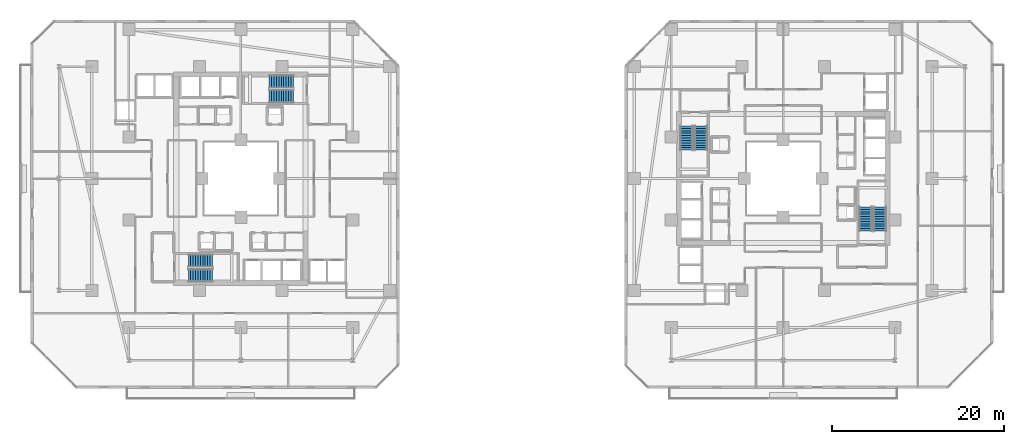
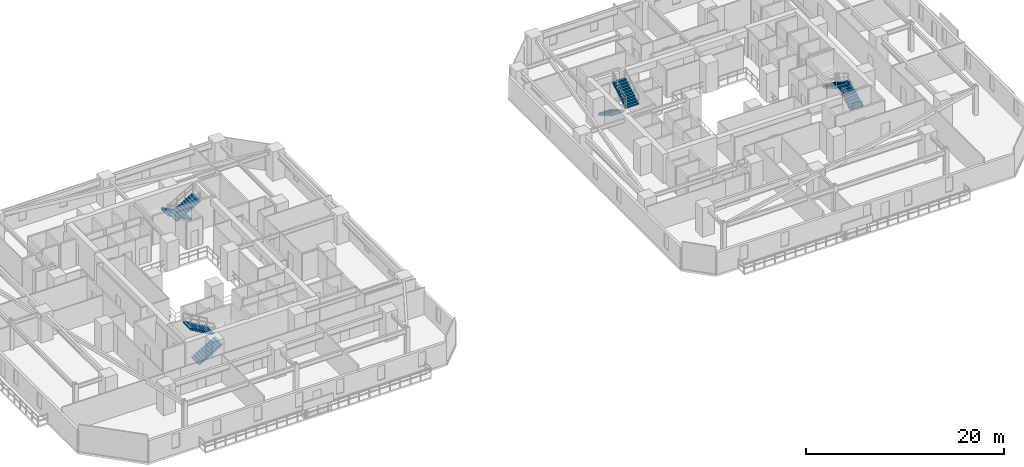
# One storey, part 26 of 33: 8 stair flights, 4 elements without a shape of their own.
"""IFC4 building model written with IfcOpenShell, lengths in metres."""

from ifc_helpers import new_model, si_unit, direction, frame, origin, place, context, subcontext, project, spatial, polyline, outline, extrude, material, type_object, element, aggregate, save


model = new_model("IFC4")

# Units and contexts
model_context = context("Model", 3, precision=1e-05, world=origin(), true_north=direction((0.0, 1.0)))
body_context = subcontext(model_context, "Body", "Model", "MODEL_VIEW")
ifc_project = project(units=[si_unit("LENGTHUNIT", "METRE"), si_unit("AREAUNIT", "SQUARE_METRE"), si_unit("VOLUMEUNIT", "CUBIC_METRE"), si_unit("PLANEANGLEUNIT", "RADIAN"), si_unit("MASSUNIT", "GRAM", prefix="KILO")], contexts=[model_context])

# Site, building, storey
site_placement = place(None, origin())
site = spatial("IfcSite", under=ifc_project, at=site_placement, CompositionType="ELEMENT")
building_placement = place(site_placement, origin())
building = spatial("IfcBuilding", under=site, at=building_placement, Name="Thornwick Lancets Civic Towers", CompositionType="ELEMENT")
storey_placement = place(building_placement, frame((0.0, 0.0, 38.699951171875)))
storey = spatial("IfcBuildingStorey", under=building, at=storey_placement, Name="L09", CompositionType="ELEMENT", Elevation=38.699951171875)

# Stair, stair flights
ifc_material = material(Name="Concrete C40/50", Category="concrete")
stair_type = type_object("IfcStairType", Name="STAIR_DL_3600", PredefinedType="HALF_TURN_STAIR", material=ifc_material)
stair_1_placement = place(storey_placement, origin())
stair_1 = element("IfcStair", 1, at=stair_1_placement, inside=storey, type_object=stair_type, Name="L09 Tower A South Exit Stair ST-A1", PredefinedType="HALF_TURN_STAIR")
stair_flight_type = type_object("IfcStairFlightType", Name="FLIGHT_3600", PredefinedType="STRAIGHT", material=ifc_material)
stair_flight_1_placement = place(storey_placement, frame((19.39990234375, 15.75, 0.0), z_axis=(0.0, 0.0, 1.0), x_axis=(1.0, 0.0, 0.0)))
stair_flight_1 = element("IfcStairFlight", 2, at=stair_flight_1_placement, type_object=stair_flight_type, Name="ST-A1 flight 1", NumberOfRisers=11, NumberOfTreads=10, PredefinedType="STRAIGHT", RiserHeight=0.163636364, TreadLength=0.28, context=body_context, shape_type="SweptSolid", body=[
    extrude(outline(polyline([(0.0, 0.0), (0.0, 0.16357421875), (0.280029296875, 0.16357421875), (0.280029296875, 0.327392578125), (0.56005859375, 0.327392578125), (0.56005859375, 0.490966796875), (0.840087890625, 0.490966796875), (0.840087890625, 0.654541015625), (1.1201171875, 0.654541015625), (1.1201171875, 0.818115234375), (1.39990234375, 0.818115234375), (1.39990234375, 0.98193359375), (1.679931640625, 0.98193359375), (1.679931640625, 1.1455078125), (1.9599609375, 1.1455078125), (1.9599609375, 1.30908203125), (2.239990234375, 1.30908203125), (2.239990234375, 1.47265625), (2.52001953125, 1.47265625), (2.52001953125, 1.636474609375), (2.800048828125, 1.636474609375), (2.800048828125, 1.800048828125), (2.800048828125, 1.462646484375), (0.297119140625, 0.0), (0.0, 0.0)])), frame((0.0, 0.75, 0.0), z_axis=(0.0, -1.0, 0.0), x_axis=(1.0, 0.0, 0.0)), (0.0, 0.0, 1.0), 1.5),
])
stair_flight_2_placement = place(storey_placement, frame((22.199951171875, 17.449951171875, 1.800048828125), z_axis=(0.0, 0.0, 1.0), x_axis=(-1.0, 0.0, 0.0)))
stair_flight_2 = element("IfcStairFlight", 3, at=stair_flight_2_placement, type_object=stair_flight_type, Name="ST-A1 flight 2", NumberOfRisers=11, NumberOfTreads=10, PredefinedType="STRAIGHT", RiserHeight=0.163636364, TreadLength=0.28, context=body_context, shape_type="SweptSolid", body=[
    extrude(outline(polyline([(0.0, 0.0), (0.0, 0.16357421875), (0.280029296875, 0.16357421875), (0.280029296875, 0.327392578125), (0.56005859375, 0.327392578125), (0.56005859375, 0.490966796875), (0.840087890625, 0.490966796875), (0.840087890625, 0.654541015625), (1.1201171875, 0.654541015625), (1.1201171875, 0.818115234375), (1.39990234375, 0.818115234375), (1.39990234375, 0.98193359375), (1.679931640625, 0.98193359375), (1.679931640625, 1.1455078125), (1.9599609375, 1.1455078125), (1.9599609375, 1.30908203125), (2.239990234375, 1.30908203125), (2.239990234375, 1.47265625), (2.52001953125, 1.47265625), (2.52001953125, 1.636474609375), (2.800048828125, 1.636474609375), (2.800048828125, 1.800048828125), (2.800048828125, 1.462646484375), (0.297119140625, 0.0), (0.0, 0.0)])), frame((0.0, 0.75, 0.0), z_axis=(0.0, -1.0, 0.0), x_axis=(1.0, 0.0, 0.0)), (0.0, 0.0, 1.0), 1.5),
])
aggregate(stair_1, [stair_flight_1, stair_flight_2])

stair_2_placement = place(storey_placement, origin())
stair_2 = element("IfcStair", 4, at=stair_2_placement, inside=storey, type_object=stair_type, Name="L09 Tower A North Exit Stair ST-A2", PredefinedType="HALF_TURN_STAIR")
stair_flight_3_placement = place(storey_placement, frame((31.60009765625, 38.25, 0.0), z_axis=(0.0, 0.0, 1.0), x_axis=(-1.0, 0.0, 0.0)))
stair_flight_3 = element("IfcStairFlight", 5, at=stair_flight_3_placement, type_object=stair_flight_type, Name="ST-A2 flight 1", NumberOfRisers=11, NumberOfTreads=10, PredefinedType="STRAIGHT", RiserHeight=0.163636364, TreadLength=0.28, context=body_context, shape_type="SweptSolid", body=[
    extrude(outline(polyline([(0.0, 0.0), (0.0, 0.16357421875), (0.280029296875, 0.16357421875), (0.280029296875, 0.327392578125), (0.56005859375, 0.327392578125), (0.56005859375, 0.490966796875), (0.840087890625, 0.490966796875), (0.840087890625, 0.654541015625), (1.1201171875, 0.654541015625), (1.1201171875, 0.818115234375), (1.39990234375, 0.818115234375), (1.39990234375, 0.98193359375), (1.679931640625, 0.98193359375), (1.679931640625, 1.1455078125), (1.9599609375, 1.1455078125), (1.9599609375, 1.30908203125), (2.239990234375, 1.30908203125), (2.239990234375, 1.47265625), (2.52001953125, 1.47265625), (2.52001953125, 1.636474609375), (2.800048828125, 1.636474609375), (2.800048828125, 1.800048828125), (2.800048828125, 1.462646484375), (0.297119140625, 0.0), (0.0, 0.0)])), frame((0.0, 0.75, 0.0), z_axis=(0.0, -1.0, 0.0), x_axis=(1.0, 0.0, 0.0)), (0.0, 0.0, 1.0), 1.5),
])
stair_flight_4_placement = place(storey_placement, frame((28.800048828125, 36.550048828125, 1.800048828125), z_axis=(0.0, 0.0, 1.0), x_axis=(1.0, 0.0, 0.0)))
stair_flight_4 = element("IfcStairFlight", 6, at=stair_flight_4_placement, type_object=stair_flight_type, Name="ST-A2 flight 2", NumberOfRisers=11, NumberOfTreads=10, PredefinedType="STRAIGHT", RiserHeight=0.163636364, TreadLength=0.28, context=body_context, shape_type="SweptSolid", body=[
    extrude(outline(polyline([(0.0, 0.0), (0.0, 0.16357421875), (0.280029296875, 0.16357421875), (0.280029296875, 0.327392578125), (0.56005859375, 0.327392578125), (0.56005859375, 0.490966796875), (0.840087890625, 0.490966796875), (0.840087890625, 0.654541015625), (1.1201171875, 0.654541015625), (1.1201171875, 0.818115234375), (1.39990234375, 0.818115234375), (1.39990234375, 0.98193359375), (1.679931640625, 0.98193359375), (1.679931640625, 1.1455078125), (1.9599609375, 1.1455078125), (1.9599609375, 1.30908203125), (2.239990234375, 1.30908203125), (2.239990234375, 1.47265625), (2.52001953125, 1.47265625), (2.52001953125, 1.636474609375), (2.800048828125, 1.636474609375), (2.800048828125, 1.800048828125), (2.800048828125, 1.462646484375), (0.297119140625, 0.0), (0.0, 0.0)])), frame((0.0, 0.75, 0.0), z_axis=(0.0, -1.0, 0.0), x_axis=(1.0, 0.0, 0.0)), (0.0, 0.0, 1.0), 1.5),
])
aggregate(stair_2, [stair_flight_3, stair_flight_4])

stair_3_placement = place(storey_placement, origin())
stair_3 = element("IfcStair", 7, at=stair_3_placement, inside=storey, type_object=stair_type, Name="L09 Tower B East Exit Stair ST-B1", PredefinedType="HALF_TURN_STAIR")
stair_flight_5_placement = place(storey_placement, frame((99.75, 20.89990234375, 0.0), z_axis=(0.0, 0.0, 1.0), x_axis=(0.0, 1.0, 0.0)))
stair_flight_5 = element("IfcStairFlight", 8, at=stair_flight_5_placement, type_object=stair_flight_type, Name="ST-B1 flight 1", NumberOfRisers=11, NumberOfTreads=10, PredefinedType="STRAIGHT", RiserHeight=0.163636364, TreadLength=0.28, context=body_context, shape_type="SweptSolid", body=[
    extrude(outline(polyline([(0.0, 0.0), (0.0, 0.16357421875), (0.280029296875, 0.16357421875), (0.280029296875, 0.327392578125), (0.56005859375, 0.327392578125), (0.56005859375, 0.490966796875), (0.840087890625, 0.490966796875), (0.840087890625, 0.654541015625), (1.1201171875, 0.654541015625), (1.1201171875, 0.818115234375), (1.39990234375, 0.818115234375), (1.39990234375, 0.98193359375), (1.679931640625, 0.98193359375), (1.679931640625, 1.1455078125), (1.9599609375, 1.1455078125), (1.9599609375, 1.30908203125), (2.239990234375, 1.30908203125), (2.239990234375, 1.47265625), (2.52001953125, 1.47265625), (2.52001953125, 1.636474609375), (2.800048828125, 1.636474609375), (2.800048828125, 1.800048828125), (2.800048828125, 1.462646484375), (0.297119140625, 0.0), (0.0, 0.0)])), frame((0.0, 0.75, 0.0), z_axis=(0.0, -1.0, 0.0), x_axis=(1.0, 0.0, 0.0)), (0.0, 0.0, 1.0), 1.5),
])
stair_flight_6_placement = place(storey_placement, frame((98.050048828125, 23.699951171875, 1.800048828125), z_axis=(0.0, 0.0, 1.0), x_axis=(0.0, -1.0, 0.0)))
stair_flight_6 = element("IfcStairFlight", 9, at=stair_flight_6_placement, type_object=stair_flight_type, Name="ST-B1 flight 2", NumberOfRisers=11, NumberOfTreads=10, PredefinedType="STRAIGHT", RiserHeight=0.163636364, TreadLength=0.28, context=body_context, shape_type="SweptSolid", body=[
    extrude(outline(polyline([(0.0, 0.0), (0.0, 0.16357421875), (0.280029296875, 0.16357421875), (0.280029296875, 0.327392578125), (0.56005859375, 0.327392578125), (0.56005859375, 0.490966796875), (0.840087890625, 0.490966796875), (0.840087890625, 0.654541015625), (1.1201171875, 0.654541015625), (1.1201171875, 0.818115234375), (1.39990234375, 0.818115234375), (1.39990234375, 0.98193359375), (1.679931640625, 0.98193359375), (1.679931640625, 1.1455078125), (1.9599609375, 1.1455078125), (1.9599609375, 1.30908203125), (2.239990234375, 1.30908203125), (2.239990234375, 1.47265625), (2.52001953125, 1.47265625), (2.52001953125, 1.636474609375), (2.800048828125, 1.636474609375), (2.800048828125, 1.800048828125), (2.800048828125, 1.462646484375), (0.297119140625, 0.0), (0.0, 0.0)])), frame((0.0, 0.75, 0.0), z_axis=(0.0, -1.0, 0.0), x_axis=(1.0, 0.0, 0.0)), (0.0, 0.0, 1.0), 1.5),
])
aggregate(stair_3, [stair_flight_5, stair_flight_6])

stair_4_placement = place(storey_placement, origin())
stair_4 = element("IfcStair", 10, at=stair_4_placement, inside=storey, type_object=stair_type, Name="L09 Tower B West Exit Stair ST-B2", PredefinedType="HALF_TURN_STAIR")
stair_flight_7_placement = place(storey_placement, frame((77.25, 33.10009765625, 0.0), z_axis=(0.0, 0.0, 1.0), x_axis=(0.0, -1.0, 0.0)))
stair_flight_7 = element("IfcStairFlight", 11, at=stair_flight_7_placement, type_object=stair_flight_type, Name="ST-B2 flight 1", NumberOfRisers=11, NumberOfTreads=10, PredefinedType="STRAIGHT", RiserHeight=0.163636364, TreadLength=0.28, context=body_context, shape_type="SweptSolid", body=[
    extrude(outline(polyline([(0.0, 0.0), (0.0, 0.16357421875), (0.280029296875, 0.16357421875), (0.280029296875, 0.327392578125), (0.56005859375, 0.327392578125), (0.56005859375, 0.490966796875), (0.840087890625, 0.490966796875), (0.840087890625, 0.654541015625), (1.1201171875, 0.654541015625), (1.1201171875, 0.818115234375), (1.39990234375, 0.818115234375), (1.39990234375, 0.98193359375), (1.679931640625, 0.98193359375), (1.679931640625, 1.1455078125), (1.9599609375, 1.1455078125), (1.9599609375, 1.30908203125), (2.239990234375, 1.30908203125), (2.239990234375, 1.47265625), (2.52001953125, 1.47265625), (2.52001953125, 1.636474609375), (2.800048828125, 1.636474609375), (2.800048828125, 1.800048828125), (2.800048828125, 1.462646484375), (0.297119140625, 0.0), (0.0, 0.0)])), frame((0.0, 0.75, 0.0), z_axis=(0.0, -1.0, 0.0), x_axis=(1.0, 0.0, 0.0)), (0.0, 0.0, 1.0), 1.5),
])
stair_flight_8_placement = place(storey_placement, frame((78.949951171875, 30.300048828125, 1.800048828125), z_axis=(0.0, 0.0, 1.0), x_axis=(0.0, 1.0, 0.0)))
stair_flight_8 = element("IfcStairFlight", 12, at=stair_flight_8_placement, type_object=stair_flight_type, Name="ST-B2 flight 2", NumberOfRisers=11, NumberOfTreads=10, PredefinedType="STRAIGHT", RiserHeight=0.163636364, TreadLength=0.28, context=body_context, shape_type="SweptSolid", body=[
    extrude(outline(polyline([(0.0, 0.0), (0.0, 0.16357421875), (0.280029296875, 0.16357421875), (0.280029296875, 0.327392578125), (0.56005859375, 0.327392578125), (0.56005859375, 0.490966796875), (0.840087890625, 0.490966796875), (0.840087890625, 0.654541015625), (1.1201171875, 0.654541015625), (1.1201171875, 0.818115234375), (1.39990234375, 0.818115234375), (1.39990234375, 0.98193359375), (1.679931640625, 0.98193359375), (1.679931640625, 1.1455078125), (1.9599609375, 1.1455078125), (1.9599609375, 1.30908203125), (2.239990234375, 1.30908203125), (2.239990234375, 1.47265625), (2.52001953125, 1.47265625), (2.52001953125, 1.636474609375), (2.800048828125, 1.636474609375), (2.800048828125, 1.800048828125), (2.800048828125, 1.462646484375), (0.297119140625, 0.0), (0.0, 0.0)])), frame((0.0, 0.75, 0.0), z_axis=(0.0, -1.0, 0.0), x_axis=(1.0, 0.0, 0.0)), (0.0, 0.0, 1.0), 1.5),
])
aggregate(stair_4, [stair_flight_7, stair_flight_8])

save(model, "model.ifc")
